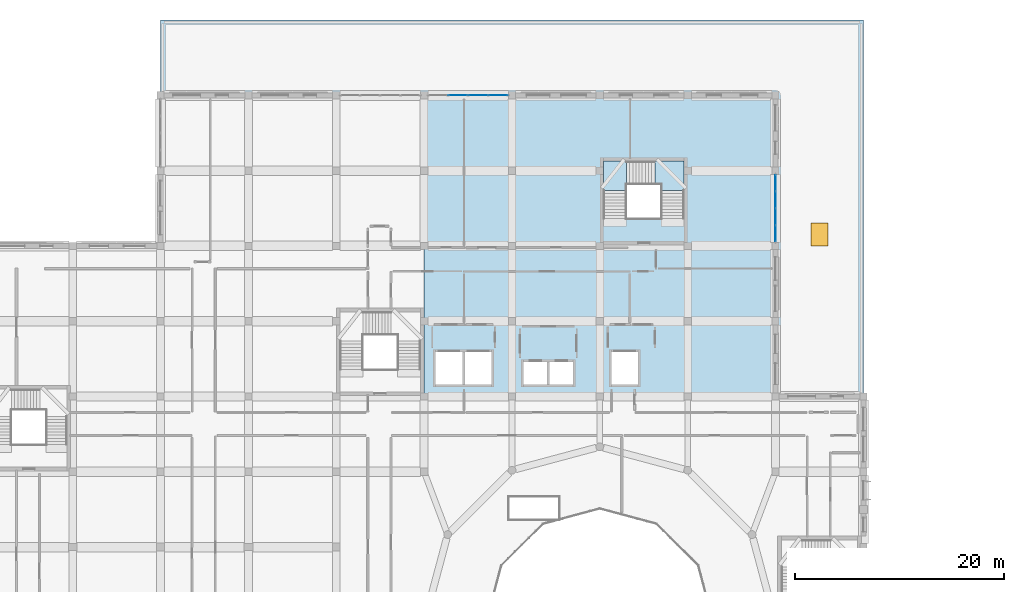
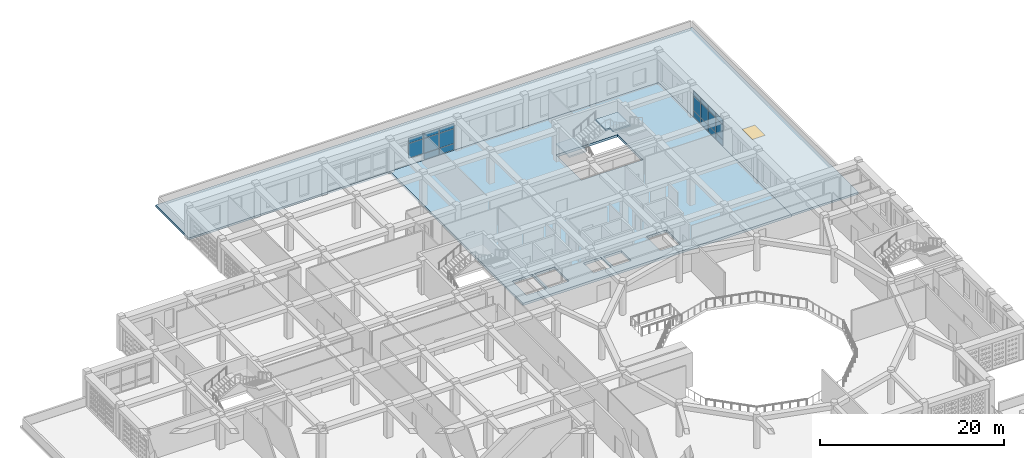
# One storey, part 45 of 100: 20 plates, 4 slabs, 1 window, 1 opening, 3 elements without a shape of their own.
"""IFC4 building model written with IfcOpenShell, lengths in metres."""

import ifcopenshell
import ifcopenshell.guid

model = None  # the IFC model being written
_history = None  # IfcOwnerHistory: only IFC2X3 demands one
_inside = {}  # id of a spatial element -> (the spatial element, [elements in it])
_under = {}  # id of a project, library or spatial element -> (it, [spatial elements below it])
_declared = {}  # id of a project -> (the project, [libraries it declares])
_typed = {}  # id of a type object -> (the type object, [elements of that type])
_made_of = {}  # id of a material, layer set ... -> (it, [elements and type objects made of it])


def new_model(schema):
    """Start an empty IFC model of exactly this schema.

    Asked for "IFC4X3", IfcOpenShell would pick the latest addendum, in which some entities
    have other attributes; the version numbers below select the first issue.
    IFC2X3 requires an IfcOwnerHistory on every rooted entity: one is made here for all.
    """
    global model, _history
    if schema == "IFC4X3":
        model = ifcopenshell.file(schema_version=(4, 3, 0, 0))
    else:
        model = ifcopenshell.file(schema=schema)
    _inside.clear()
    _under.clear()
    _declared.clear()
    _typed.clear()
    _made_of.clear()
    _history = None
    if model.schema == "IFC2X3":
        org = make("IfcOrganization", Name="unknown")
        user = make(
            "IfcPersonAndOrganization",
            ThePerson=make("IfcPerson", FamilyName="unknown"),
            TheOrganization=org,
        )
        app = make(
            "IfcApplication",
            ApplicationDeveloper=org,
            Version="unknown",
            ApplicationFullName="unknown",
            ApplicationIdentifier="unknown",
        )
        _history = make(
            "IfcOwnerHistory",
            OwningUser=user,
            OwningApplication=app,
            ChangeAction="ADDED",
            CreationDate=0,
        )
    return model


def make(cls, **values):
    """One entity of the class cls with the attributes given. An attribute that is None is left unset."""
    return model.create_entity(
        cls, **{name: value for name, value in values.items() if value is not None}
    )


def rooted(cls, **values):
    """An entity with a GlobalId (a new one), such as an element, a storey or a relation."""
    return make(cls, GlobalId=ifcopenshell.guid.new(), OwnerHistory=_history, **values)


def si_unit(unit_type, name, prefix=None):
    """IfcSIUnit, for example si_unit("LENGTHUNIT", "METRE", prefix="MILLI")."""
    return make("IfcSIUnit", UnitType=unit_type, Prefix=prefix, Name=name)


def derived_unit(unit_type, elements):
    """IfcDerivedUnit: a product of units, each with its exponent."""
    return make(
        "IfcDerivedUnit",
        Elements=[
            make("IfcDerivedUnitElement", Unit=unit, Exponent=power)
            for unit, power in elements
        ],
        UnitType=unit_type,
    )


def assignment(units):
    """IfcUnitAssignment: the units of a project."""
    return None if units is None else make("IfcUnitAssignment", Units=units)


def point(xyz):
    """IfcCartesianPoint."""
    return None if xyz is None else make("IfcCartesianPoint", Coordinates=xyz)


def direction(xyz):
    """IfcDirection."""
    return None if xyz is None else make("IfcDirection", DirectionRatios=xyz)


def frame(location, z_axis=None, x_axis=None):
    """IfcAxis2Placement3D, a coordinate frame: its origin and axes. An axis left out is left unset."""
    return make(
        "IfcAxis2Placement3D",
        Location=point(location),
        Axis=direction(z_axis),
        RefDirection=direction(x_axis),
    )


def frame_2d(location, x_axis=None):
    """IfcAxis2Placement2D, a coordinate frame in the plane: its origin and x axis."""
    return make(
        "IfcAxis2Placement2D", Location=point(location), RefDirection=direction(x_axis)
    )


def origin():
    """The frame at (0, 0, 0) with its axes left unset."""
    return frame((0.0, 0.0, 0.0))


def origin_2d():
    """The frame at (0, 0) in the plane with its x axis left unset."""
    return frame_2d((0.0, 0.0))


def place(relative_to, where):
    """IfcLocalPlacement: puts the frame where relative to a parent placement (None: the world)."""
    return make(
        "IfcLocalPlacement", PlacementRelTo=relative_to, RelativePlacement=where
    )


def context(
    kind, dimensions, precision=None, world=None, true_north=None, identifier=None
):
    """IfcGeometricRepresentationContext, for example the 3D "Model" context."""
    return make(
        "IfcGeometricRepresentationContext",
        ContextIdentifier=identifier,
        ContextType=kind,
        CoordinateSpaceDimension=dimensions,
        Precision=precision,
        WorldCoordinateSystem=world,
        TrueNorth=true_north,
    )


def subcontext(parent, identifier, kind, view, scale=None):
    """IfcGeometricRepresentationSubContext, for example "Body" below "Model"."""
    return make(
        "IfcGeometricRepresentationSubContext",
        ContextIdentifier=identifier,
        ContextType=kind,
        ParentContext=parent,
        TargetScale=scale,
        TargetView=view,
    )


def project(units=None, contexts=None):
    """IfcProject with its units and contexts."""
    return rooted(
        "IfcProject",
        Name="project",
        RepresentationContexts=contexts,
        UnitsInContext=assignment(units),
    )


def spatial(cls, under=None, at=None, **own):
    """A site, building, storey or space (cls), placed at a placement, below another one or the project."""
    s = rooted(cls, ObjectPlacement=at, **own)
    if under is not None:
        _under.setdefault(under.id(), (under, []))[1].append(s)
    return s


def polyline(points):
    """IfcPolyline through the points."""
    return make("IfcPolyline", Points=[point(p) for p in points])


def profile(cls, at=None, kind="AREA", **sizes):
    """A parametric profile (cls). Its sizes go by their IFC names, for example OverallWidth=200.0."""
    return make(cls, ProfileType=kind, Position=at, **sizes)


def rectangle(**sizes):
    """IfcRectangleProfileDef."""
    return profile("IfcRectangleProfileDef", **sizes)


def outline(outer, holes=None, kind="AREA"):
    """IfcArbitraryClosedProfileDef: a profile drawn as a closed curve; with holes, ...WithVoids."""
    if holes is None:
        return make("IfcArbitraryClosedProfileDef", ProfileType=kind, OuterCurve=outer)
    return make(
        "IfcArbitraryProfileDefWithVoids",
        ProfileType=kind,
        OuterCurve=outer,
        InnerCurves=holes,
    )


def extrude(swept, where, along, depth):
    """IfcExtrudedAreaSolid: the profile swept, set in the frame where, extruded along a direction by depth."""
    return make(
        "IfcExtrudedAreaSolid",
        SweptArea=swept,
        Position=where,
        ExtrudedDirection=direction(along),
        Depth=depth,
    )


def shape(context_of_items, identifier, shape_type, items):
    """IfcShapeRepresentation: the items that make up one representation, for example the "Body"."""
    return make(
        "IfcShapeRepresentation",
        ContextOfItems=context_of_items,
        RepresentationIdentifier=identifier,
        RepresentationType=shape_type,
        Items=items,
    )


def material(Name=None, Category=None):
    """IfcMaterial."""
    return make("IfcMaterial", Name=Name, Category=Category)


def layer(
    of_material, thickness, ventilated=None, Name=None, Category=None, Priority=None
):
    """IfcMaterialLayer: one layer of a wall or slab, of a material (None: an air gap)."""
    return make(
        "IfcMaterialLayer",
        Material=of_material,
        LayerThickness=thickness,
        IsVentilated=ventilated,
        Name=Name,
        Category=Category,
        Priority=Priority,
    )


def layer_set(layers, Name=None):
    """IfcMaterialLayerSet."""
    return make("IfcMaterialLayerSet", MaterialLayers=layers, LayerSetName=Name)


def made_of(thing, what):
    """Note that an element or type object is made of a material, layer set ...; save() writes the relation."""
    if what is not None:
        _made_of.setdefault(what.id(), (what, []))[1].append(thing)
    return thing


def type_object(cls, material=None, **own):
    """A type object (cls), such as IfcWallType, which elements share."""
    return made_of(rooted(cls, **own), material)


def element(
    cls,
    number,
    at=None,
    inside=None,
    cuts=None,
    type_object=None,
    material=None,
    context=None,
    identifier="Body",
    shape_type=None,
    held_by="IfcProductDefinitionShape",
    body=None,
    shapes=None,
    **own,
):
    """One element of the class cls, such as IfcWall. Its Tag is "e" and its number.

    at: its placement. inside: the storey or other place that contains it. cuts: it is an
    opening in that element (IfcRelVoidsElement). A single representation is given by context,
    identifier, shape_type and body (its items); several are given by shapes. held_by: the class
    of the entity that holds the representations. save() writes the other relations.
    """
    e = rooted(cls, Tag="e%d" % number, ObjectPlacement=at, **own)
    if body is not None:
        shapes = [shape(context, identifier, shape_type, body)]
    if shapes is not None:
        e.Representation = make(held_by, Representations=shapes)
    if inside is not None:
        _inside.setdefault(inside.id(), (inside, []))[1].append(e)
    if cuts is not None:
        rooted(
            "IfcRelVoidsElement", RelatingBuildingElement=cuts, RelatedOpeningElement=e
        )
    if type_object is not None:
        _typed.setdefault(type_object.id(), (type_object, []))[1].append(e)
    return made_of(e, material)


def fill(opening, filler):
    """IfcRelFillsElement: the door or window that sits in an opening."""
    return rooted(
        "IfcRelFillsElement",
        RelatingOpeningElement=opening,
        RelatedBuildingElement=filler,
    )


def aggregate(whole, parts):
    """IfcRelAggregates: a whole, such as a stair, and the parts it consists of."""
    return rooted("IfcRelAggregates", RelatingObject=whole, RelatedObjects=parts)


def save(model, path):
    """Write the relations noted so far, then the file.

    IfcRelAggregates (storeys below a building ...), IfcRelContainedInSpatialStructure (elements
    in a storey), IfcRelDefinesByType, IfcRelAssociatesMaterial and IfcRelDeclares: one each for
    every whole, place, type object, material and project.
    """
    for whole, parts in _under.values():
        aggregate(whole, parts)
    for where, things in _inside.values():
        rooted(
            "IfcRelContainedInSpatialStructure",
            RelatedElements=things,
            RelatingStructure=where,
        )
    for kind, things in _typed.values():
        rooted("IfcRelDefinesByType", RelatedObjects=things, RelatingType=kind)
    for what, things in _made_of.values():
        rooted("IfcRelAssociatesMaterial", RelatedObjects=things, RelatingMaterial=what)
    for by, libraries in _declared.values():
        rooted("IfcRelDeclares", RelatingContext=by, RelatedDefinitions=libraries)
    model.write(path)


model = new_model("IFC4")

# Units and contexts
model_context = context("Model", 3, precision=1e-05, world=origin(), true_north=direction((0.0, 1.0)))
body_context = subcontext(model_context, "Body", "Model", "MODEL_VIEW")
ifc_project = project(units=[si_unit("LENGTHUNIT", "METRE"), si_unit("AREAUNIT", "SQUARE_METRE"), si_unit("VOLUMEUNIT", "CUBIC_METRE"), si_unit("PLANEANGLEUNIT", "RADIAN"), si_unit("MASSUNIT", "GRAM", prefix="KILO"), derived_unit("THERMALTRANSMITTANCEUNIT", [(si_unit("POWERUNIT", "WATT"), 1), (si_unit("LENGTHUNIT", "METRE"), -2), (si_unit("THERMODYNAMICTEMPERATUREUNIT", "KELVIN"), -1)])], contexts=[model_context])

# Site, building, storey
site_placement = place(None, origin())
site = spatial("IfcSite", under=ifc_project, at=site_placement, CompositionType="ELEMENT")
building_placement = place(site_placement, origin())
building = spatial("IfcBuilding", under=site, at=building_placement, Name="Veybourne Emporium", CompositionType="ELEMENT")
storey_placement = place(building_placement, frame((0.0, 0.0, 14.39990234375)))
storey = spatial("IfcBuildingStorey", under=building, at=storey_placement, Name="L03", CompositionType="ELEMENT", Elevation=14.39990234375)

# Curtain wall, plates
ifc_material_1 = material(Name="Patinated Architectural Bronze", Category="bronze")
curtain_wall_type_1 = type_object("IfcCurtainWallType", Name="CWSystem_CWS-16", PredefinedType="NOTDEFINED", material=ifc_material_1)
curtain_wall_1_placement = place(storey_placement, origin())
curtain_wall_1 = element("IfcCurtainWall", 1, at=curtain_wall_1_placement, inside=storey, type_object=curtain_wall_type_1, Name="L03 bronze glazed curtain wall CWS-16 (036)", PredefinedType="NOTDEFINED")
ifc_material_2 = material(Name="Low-E Triple Glazing", Category="glass")
ifc_layer_1 = layer(ifc_material_2, 0.028076171875)
ifc_layer_set_1 = layer_set([ifc_layer_1], Name="Low-E Triple Glazing")
plate_type = type_object("IfcPlateType", Name="CWPanel_CW-P1", PredefinedType="CURTAIN_PANEL", material=ifc_layer_set_1)
plate_1_placement = place(storey_placement, frame((62.03759765625, 100.800048828125, 0.93505859375), z_axis=(0.0, 0.0, 1.0), x_axis=(1.0, 0.0, 0.0)))
plate_1 = element("IfcPlate", 2, at=plate_1_placement, type_object=plate_type, Name="CWS-16 panel 2.2", PredefinedType="CURTAIN_PANEL", context=body_context, shape_type="SweptSolid", body=[
    extrude(rectangle(XDim=1.85498046875, YDim=0.028076171875, at=origin_2d()), origin(), (0.0, 0.0, 1.0), 1.909912109375),
])
plate_2_placement = place(storey_placement, frame((62.03759765625, 100.800048828125, 2.9150390625), z_axis=(0.0, 0.0, 1.0), x_axis=(1.0, 0.0, 0.0)))
plate_2 = element("IfcPlate", 3, at=plate_2_placement, type_object=plate_type, Name="CWS-16 panel 2.3", PredefinedType="CURTAIN_PANEL", context=body_context, shape_type="SweptSolid", body=[
    extrude(rectangle(XDim=1.85498046875, YDim=0.028076171875, at=origin_2d()), origin(), (0.0, 0.0, 1.0), 0.64501953125),
])
plate_3_placement = place(storey_placement, frame((63.96240234375, 100.800048828125, 0.070068359375), z_axis=(0.0, 0.0, 1.0), x_axis=(1.0, 0.0, 0.0)))
plate_3 = element("IfcPlate", 4, at=plate_3_placement, type_object=plate_type, Name="CWS-16 panel 3.1", PredefinedType="CURTAIN_PANEL", context=body_context, shape_type="SweptSolid", body=[
    extrude(rectangle(XDim=1.85498046875, YDim=0.028076171875, at=origin_2d()), origin(), (0.0, 0.0, 1.0), 0.794921875),
])
plate_4_placement = place(storey_placement, frame((63.96240234375, 100.800048828125, 0.93505859375), z_axis=(0.0, 0.0, 1.0), x_axis=(1.0, 0.0, 0.0)))
plate_4 = element("IfcPlate", 5, at=plate_4_placement, type_object=plate_type, Name="CWS-16 panel 3.2", PredefinedType="CURTAIN_PANEL", context=body_context, shape_type="SweptSolid", body=[
    extrude(rectangle(XDim=1.85498046875, YDim=0.028076171875, at=origin_2d()), origin(), (0.0, 0.0, 1.0), 1.909912109375),
])
plate_5_placement = place(storey_placement, frame((63.96240234375, 100.800048828125, 2.9150390625), z_axis=(0.0, 0.0, 1.0), x_axis=(1.0, 0.0, 0.0)))
plate_5 = element("IfcPlate", 6, at=plate_5_placement, type_object=plate_type, Name="CWS-16 panel 3.3", PredefinedType="CURTAIN_PANEL", context=body_context, shape_type="SweptSolid", body=[
    extrude(rectangle(XDim=1.85498046875, YDim=0.028076171875, at=origin_2d()), origin(), (0.0, 0.0, 1.0), 0.64501953125),
])
plate_6_placement = place(storey_placement, frame((65.8701171875, 100.800048828125, 0.070068359375), z_axis=(0.0, 0.0, 1.0), x_axis=(1.0, 0.0, 0.0)))
plate_6 = element("IfcPlate", 7, at=plate_6_placement, type_object=plate_type, Name="CWS-16 panel 4.1", PredefinedType="CURTAIN_PANEL", context=body_context, shape_type="SweptSolid", body=[
    extrude(rectangle(XDim=1.820068359375, YDim=0.028076171875, at=origin_2d()), origin(), (0.0, 0.0, 1.0), 0.794921875),
])
plate_7_placement = place(storey_placement, frame((65.8701171875, 100.800048828125, 0.93505859375), z_axis=(0.0, 0.0, 1.0), x_axis=(1.0, 0.0, 0.0)))
plate_7 = element("IfcPlate", 8, at=plate_7_placement, type_object=plate_type, Name="CWS-16 panel 4.2", PredefinedType="CURTAIN_PANEL", context=body_context, shape_type="SweptSolid", body=[
    extrude(rectangle(XDim=1.820068359375, YDim=0.028076171875, at=origin_2d()), origin(), (0.0, 0.0, 1.0), 1.909912109375),
])
plate_8_placement = place(storey_placement, frame((65.8701171875, 100.800048828125, 2.9150390625), z_axis=(0.0, 0.0, 1.0), x_axis=(1.0, 0.0, 0.0)))
plate_8 = element("IfcPlate", 9, at=plate_8_placement, type_object=plate_type, Name="CWS-16 panel 4.3", PredefinedType="CURTAIN_PANEL", context=body_context, shape_type="SweptSolid", body=[
    extrude(rectangle(XDim=1.820068359375, YDim=0.028076171875, at=origin_2d()), origin(), (0.0, 0.0, 1.0), 0.64501953125),
])
aggregate(curtain_wall_1, [plate_1, plate_2, plate_3, plate_4, plate_5, plate_6, plate_7, plate_8])

curtain_wall_type_2 = type_object("IfcCurtainWallType", Name="CWSystem_CWS-18", PredefinedType="NOTDEFINED", material=ifc_material_1)
curtain_wall_2_placement = place(storey_placement, origin())
curtain_wall_2 = element("IfcCurtainWall", 10, at=curtain_wall_2_placement, inside=storey, type_object=curtain_wall_type_2, Name="L03 bronze glazed curtain wall CWS-18 (045)", PredefinedType="NOTDEFINED")
plate_9_placement = place(storey_placement, frame((92.39990234375, 92.418701171875, 0.074951171875), z_axis=(0.0, 0.0, 1.0), x_axis=(0.0, -1.0, 0.0)))
plate_9 = element("IfcPlate", 11, at=plate_9_placement, type_object=plate_type, Name="CWS-18 panel 1.1", PredefinedType="CURTAIN_PANEL", context=body_context, shape_type="SweptSolid", body=[
    extrude(rectangle(XDim=1.512451171875, YDim=0.028076171875, at=origin_2d()), origin(), (0.0, 0.0, 1.0), 0.78759765625),
])
plate_10_placement = place(storey_placement, frame((92.39990234375, 92.418701171875, 0.9375), z_axis=(0.0, 0.0, 1.0), x_axis=(0.0, -1.0, 0.0)))
plate_10 = element("IfcPlate", 12, at=plate_10_placement, type_object=plate_type, Name="CWS-18 panel 1.2", PredefinedType="CURTAIN_PANEL", context=body_context, shape_type="SweptSolid", body=[
    extrude(rectangle(XDim=1.512451171875, YDim=0.028076171875, at=origin_2d()), origin(), (0.0, 0.0, 1.0), 1.905029296875),
])
plate_11_placement = place(storey_placement, frame((92.39990234375, 92.418701171875, 2.91748046875), z_axis=(0.0, 0.0, 1.0), x_axis=(0.0, -1.0, 0.0)))
plate_11 = element("IfcPlate", 13, at=plate_11_placement, type_object=plate_type, Name="CWS-18 panel 1.3", PredefinedType="CURTAIN_PANEL", context=body_context, shape_type="SweptSolid", body=[
    extrude(rectangle(XDim=1.512451171875, YDim=0.028076171875, at=origin_2d()), origin(), (0.0, 0.0, 1.0), 0.637451171875),
])
plate_12_placement = place(storey_placement, frame((92.39990234375, 90.8125, 0.074951171875), z_axis=(0.0, 0.0, 1.0), x_axis=(0.0, -1.0, 0.0)))
plate_12 = element("IfcPlate", 14, at=plate_12_placement, type_object=plate_type, Name="CWS-18 panel 2.1", PredefinedType="CURTAIN_PANEL", context=body_context, shape_type="SweptSolid", body=[
    extrude(rectangle(XDim=1.550048828125, YDim=0.028076171875, at=origin_2d()), origin(), (0.0, 0.0, 1.0), 0.78759765625),
])
plate_13_placement = place(storey_placement, frame((92.39990234375, 90.8125, 0.9375), z_axis=(0.0, 0.0, 1.0), x_axis=(0.0, -1.0, 0.0)))
plate_13 = element("IfcPlate", 15, at=plate_13_placement, type_object=plate_type, Name="CWS-18 panel 2.2", PredefinedType="CURTAIN_PANEL", context=body_context, shape_type="SweptSolid", body=[
    extrude(rectangle(XDim=1.550048828125, YDim=0.028076171875, at=origin_2d()), origin(), (0.0, 0.0, 1.0), 1.905029296875),
])
plate_14_placement = place(storey_placement, frame((92.39990234375, 90.8125, 2.91748046875), z_axis=(0.0, 0.0, 1.0), x_axis=(0.0, -1.0, 0.0)))
plate_14 = element("IfcPlate", 16, at=plate_14_placement, type_object=plate_type, Name="CWS-18 panel 2.3", PredefinedType="CURTAIN_PANEL", context=body_context, shape_type="SweptSolid", body=[
    extrude(rectangle(XDim=1.550048828125, YDim=0.028076171875, at=origin_2d()), origin(), (0.0, 0.0, 1.0), 0.637451171875),
])
plate_15_placement = place(storey_placement, frame((92.39990234375, 89.1875, 0.074951171875), z_axis=(0.0, 0.0, 1.0), x_axis=(0.0, -1.0, 0.0)))
plate_15 = element("IfcPlate", 17, at=plate_15_placement, type_object=plate_type, Name="CWS-18 panel 3.1", PredefinedType="CURTAIN_PANEL", context=body_context, shape_type="SweptSolid", body=[
    extrude(rectangle(XDim=1.550048828125, YDim=0.028076171875, at=origin_2d()), origin(), (0.0, 0.0, 1.0), 0.78759765625),
])
plate_16_placement = place(storey_placement, frame((92.39990234375, 89.1875, 0.9375), z_axis=(0.0, 0.0, 1.0), x_axis=(0.0, -1.0, 0.0)))
plate_16 = element("IfcPlate", 18, at=plate_16_placement, type_object=plate_type, Name="CWS-18 panel 3.2", PredefinedType="CURTAIN_PANEL", context=body_context, shape_type="SweptSolid", body=[
    extrude(rectangle(XDim=1.550048828125, YDim=0.028076171875, at=origin_2d()), origin(), (0.0, 0.0, 1.0), 1.905029296875),
])
plate_17_placement = place(storey_placement, frame((92.39990234375, 89.1875, 2.91748046875), z_axis=(0.0, 0.0, 1.0), x_axis=(0.0, -1.0, 0.0)))
plate_17 = element("IfcPlate", 19, at=plate_17_placement, type_object=plate_type, Name="CWS-18 panel 3.3", PredefinedType="CURTAIN_PANEL", context=body_context, shape_type="SweptSolid", body=[
    extrude(rectangle(XDim=1.550048828125, YDim=0.028076171875, at=origin_2d()), origin(), (0.0, 0.0, 1.0), 0.637451171875),
])
plate_18_placement = place(storey_placement, frame((92.39990234375, 87.581298828125, 0.074951171875), z_axis=(0.0, 0.0, 1.0), x_axis=(0.0, -1.0, 0.0)))
plate_18 = element("IfcPlate", 20, at=plate_18_placement, type_object=plate_type, Name="CWS-18 panel 4.1", PredefinedType="CURTAIN_PANEL", context=body_context, shape_type="SweptSolid", body=[
    extrude(rectangle(XDim=1.512451171875, YDim=0.028076171875, at=origin_2d()), origin(), (0.0, 0.0, 1.0), 0.78759765625),
])
plate_19_placement = place(storey_placement, frame((92.39990234375, 87.581298828125, 0.9375), z_axis=(0.0, 0.0, 1.0), x_axis=(0.0, -1.0, 0.0)))
plate_19 = element("IfcPlate", 21, at=plate_19_placement, type_object=plate_type, Name="CWS-18 panel 4.2", PredefinedType="CURTAIN_PANEL", context=body_context, shape_type="SweptSolid", body=[
    extrude(rectangle(XDim=1.512451171875, YDim=0.028076171875, at=origin_2d()), origin(), (0.0, 0.0, 1.0), 1.905029296875),
])
plate_20_placement = place(storey_placement, frame((92.39990234375, 87.581298828125, 2.91748046875), z_axis=(0.0, 0.0, 1.0), x_axis=(0.0, -1.0, 0.0)))
plate_20 = element("IfcPlate", 22, at=plate_20_placement, type_object=plate_type, Name="CWS-18 panel 4.3", PredefinedType="CURTAIN_PANEL", context=body_context, shape_type="SweptSolid", body=[
    extrude(rectangle(XDim=1.512451171875, YDim=0.028076171875, at=origin_2d()), origin(), (0.0, 0.0, 1.0), 0.637451171875),
])
aggregate(curtain_wall_2, [plate_9, plate_10, plate_11, plate_12, plate_13, plate_14, plate_15, plate_16, plate_17, plate_18, plate_19, plate_20])

# Stair, slabs
ifc_material_3 = material(Name="Concrete C32/40", Category="concrete")
stair_type = type_object("IfcStairType", Name="Stair_ST-04-R30", PredefinedType="TWO_QUARTER_TURN_STAIR", material=ifc_material_3)
stair_placement = place(storey_placement, origin())
stair = element("IfcStair", 23, at=stair_placement, inside=storey, type_object=stair_type, Name="L03 stair ST-04", PredefinedType="TWO_QUARTER_TURN_STAIR")
ifc_layer_2 = layer(ifc_material_3, 0.199951171875)
ifc_layer_set_2 = layer_set([ifc_layer_2], Name="Concrete C32/40")
slab_type_1 = type_object("IfcSlabType", Name="Landing_LDG-01", PredefinedType="LANDING", material=ifc_layer_set_2)
slab_1_placement = place(storey_placement, frame((0.0, 0.0, 1.300048828125)))
slab_1 = element("IfcSlab", 24, at=slab_1_placement, type_object=slab_type_1, Name="ST-04-R30 landing 1", PredefinedType="LANDING", context=body_context, shape_type="SweptSolid", body=[
    extrude(outline(polyline([(75.949951171875, 91.699951171875), (78.14990234375, 91.699951171875), (78.14990234375, 94.5), (75.949951171875, 94.5), (75.949951171875, 91.699951171875)])), origin(), (0.0, 0.0, 1.0), 0.199951171875),
])
slab_2_placement = place(storey_placement, frame((0.0, 0.0, 2.800048828125)))
slab_2 = element("IfcSlab", 25, at=slab_2_placement, type_object=slab_type_1, Name="ST-04-R30 landing 2", PredefinedType="LANDING", context=body_context, shape_type="SweptSolid", body=[
    extrude(outline(polyline([(80.85009765625, 92.300048828125), (81.449951171875, 92.300048828125), (81.449951171875, 91.699951171875), (83.64990234375, 91.699951171875), (83.64990234375, 94.5), (80.85009765625, 94.5), (80.85009765625, 92.300048828125)])), origin(), (0.0, 0.0, 1.0), 0.199951171875),
])
aggregate(stair, [slab_1, slab_2])

# Slab
ifc_layer_3 = layer(ifc_material_3, 0.320068359375)
ifc_layer_set_3 = layer_set([ifc_layer_3], Name="Concrete C32/40")
slab_type_2 = type_object("IfcSlabType", Name="Slab_FS-02", PredefinedType="FLOOR", material=ifc_layer_set_3)
slab_3_placement = place(storey_placement, frame((0.0, 0.0, -0.31982421875)))
element("IfcSlab", 26, at=slab_3_placement, inside=storey, type_object=slab_type_2, Name="L03 floor slab FS-02 (V5E.1)", PredefinedType="FLOOR", context=body_context, shape_type="SweptSolid", body=[
    extrude(outline(polyline([(58.800048828125, 100.800048828125), (67.199951171875, 100.800048828125), (75.60009765625, 100.800048828125), (84.0, 100.800048828125), (92.39990234375, 100.800048828125), (92.39990234375, 93.60009765625), (92.39990234375, 86.39990234375), (92.39990234375, 79.199951171875), (92.39990234375, 72.0), (84.0, 72.0), (75.60009765625, 72.0), (67.199951171875, 72.0), (58.800048828125, 72.0), (58.800048828125, 79.199951171875), (58.800048828125, 86.39990234375), (58.800048828125, 93.60009765625), (58.800048828125, 100.800048828125)]), holes=[polyline([(68.300048828125, 73.14990234375), (70.550048828125, 73.14990234375), (70.550048828125, 75.300048828125), (68.300048828125, 75.300048828125), (68.300048828125, 73.14990234375)]), polyline([(73.0400390625, 73.14990234375), (73.0400390625, 75.300048828125), (70.7900390625, 75.300048828125), (70.7900390625, 73.14990234375), (73.0400390625, 73.14990234375)]), polyline([(59.89990234375, 73.14990234375), (62.449951171875, 73.14990234375), (62.449951171875, 76.25), (59.89990234375, 76.25), (59.89990234375, 73.14990234375)]), polyline([(62.68994140625, 73.14990234375), (65.239990234375, 73.14990234375), (65.239990234375, 76.25), (62.68994140625, 76.25), (62.68994140625, 73.14990234375)]), polyline([(79.25, 73.14990234375), (79.25, 76.25), (76.699951171875, 76.25), (76.699951171875, 73.14990234375), (79.25, 73.14990234375)]), polyline([(75.949951171875, 89.0), (83.64990234375, 89.0), (83.64990234375, 94.5), (75.949951171875, 94.5), (75.949951171875, 89.0)])]), origin(), (0.0, 0.0, 1.0), 0.31982421875),
])

# Slab, opening, window
ifc_layer_4 = layer(ifc_material_3, 0.260009765625)
ifc_layer_set_4 = layer_set([ifc_layer_4], Name="Concrete C32/40")
slab_type_3 = type_object("IfcSlabType", Name="Slab_RS-01", PredefinedType="ROOF", material=ifc_layer_set_4)
slab_4_placement = place(storey_placement, frame((0.0, 0.0, -0.260009765625)))
slab_4 = element("IfcSlab", 27, at=slab_4_placement, inside=storey, type_object=slab_type_3, Name="L03 flat roof slab 3", PredefinedType="ROOF", context=body_context, shape_type="SweptSolid", body=[
    extrude(outline(polyline([(92.39990234375, 93.60009765625), (92.39990234375, 100.800048828125), (84.0, 100.800048828125), (75.60009765625, 100.800048828125), (67.199951171875, 100.800048828125), (58.800048828125, 100.800048828125), (50.39990234375, 100.800048828125), (42.0, 100.800048828125), (33.60009765625, 100.800048828125), (33.60009765625, 108.0), (42.0, 108.0), (50.39990234375, 108.0), (58.800048828125, 108.0), (67.199951171875, 108.0), (75.60009765625, 108.0), (84.0, 108.0), (92.39990234375, 108.0), (100.800048828125, 108.0), (100.800048828125, 100.800048828125), (100.800048828125, 93.60009765625), (100.800048828125, 86.39990234375), (100.800048828125, 79.199951171875), (100.800048828125, 72.0), (92.39990234375, 72.0), (92.39990234375, 79.199951171875), (92.39990234375, 86.39990234375), (92.39990234375, 93.60009765625)])), origin(), (0.0, 0.0, 1.0), 0.260009765625),
])
opening_placement = place(slab_4_placement, frame((96.60009765625, 87.5, -0.02001953125)))
opening = element("IfcOpeningElement", 28, at=opening_placement, cuts=slab_4, Name="Opening RH-03", PredefinedType="OPENING", context=body_context, shape_type="SweptSolid", body=[
    extrude(rectangle(XDim=1.60009765625, YDim=2.199951171875, at=origin_2d()), origin(), (0.0, 0.0, 1.0), 0.300048828125),
])
ifc_material_4 = material(Name="Solar Control Laminated Glass", Category="glass")
window_type = type_object("IfcWindowType", Name="Hatch_RH-03", PartitioningType="SINGLE_PANEL", PredefinedType="SKYLIGHT", material=ifc_material_4)
window_placement = place(slab_4_placement, frame((96.60009765625, 87.5, 0.2099609375)))
window = element("IfcWindow", 29, at=window_placement, inside=storey, type_object=window_type, Name="L03 roof access skylight hatch RH-03", OverallHeight=2.199951171875, OverallWidth=1.60009765625, PartitioningType="SINGLE_PANEL", PredefinedType="SKYLIGHT", context=body_context, shape_type="SweptSolid", body=[
    extrude(rectangle(XDim=1.60009765625, YDim=2.199951171875, at=origin_2d()), origin(), (0.0, 0.0, 1.0), 0.050048828125),
])
fill(opening, window)

save(model, "model.ifc")
